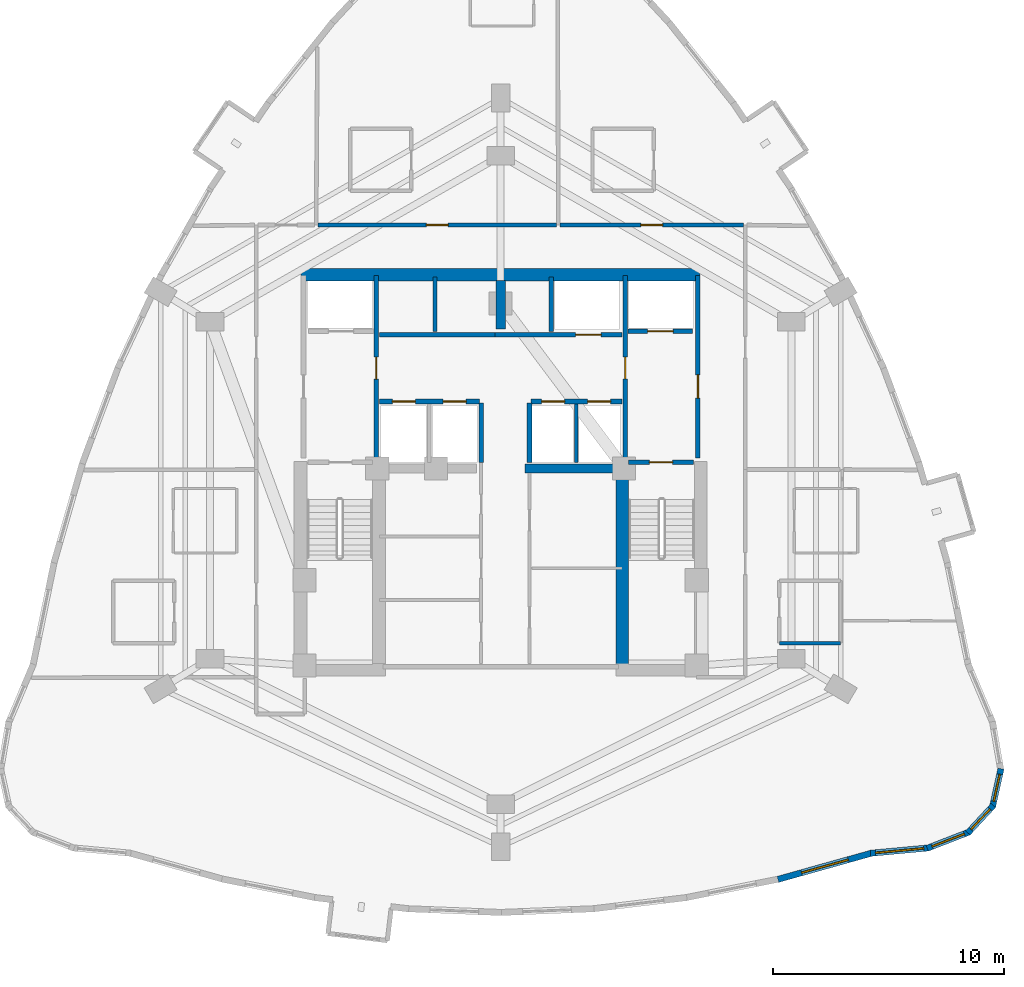
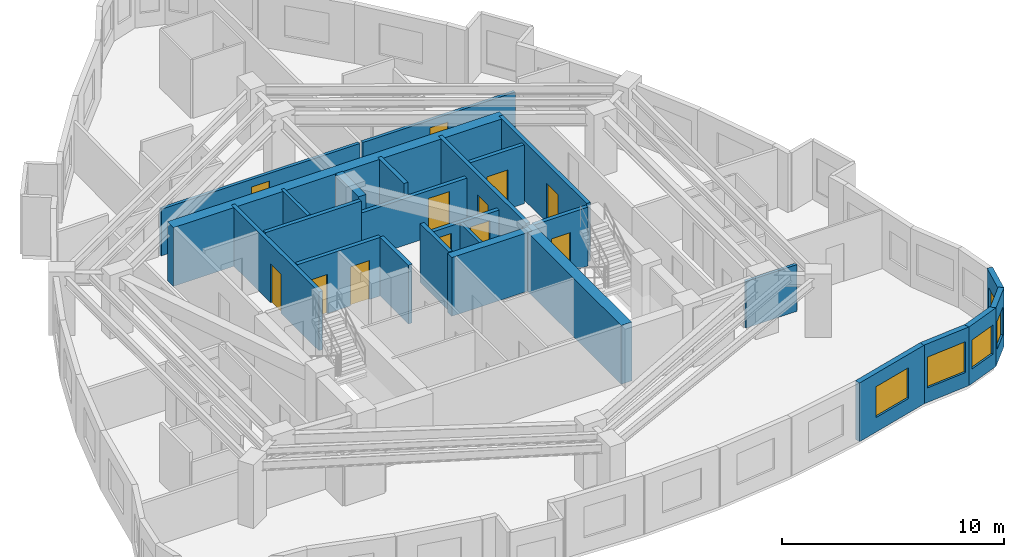
# One storey, part 5 of 9: 26 walls, 12 doors, 5 windows, 17 openings.
"""IFC4 building model written with IfcOpenShell, lengths in metres."""

import ifcopenshell
import ifcopenshell.guid

model = None  # the IFC model being written
_history = None  # IfcOwnerHistory: only IFC2X3 demands one
_inside = {}  # id of a spatial element -> (the spatial element, [elements in it])
_under = {}  # id of a project, library or spatial element -> (it, [spatial elements below it])
_declared = {}  # id of a project -> (the project, [libraries it declares])
_typed = {}  # id of a type object -> (the type object, [elements of that type])
_made_of = {}  # id of a material, layer set ... -> (it, [elements and type objects made of it])


def new_model(schema):
    """Start an empty IFC model of exactly this schema.

    Asked for "IFC4X3", IfcOpenShell would pick the latest addendum, in which some entities
    have other attributes; the version numbers below select the first issue.
    IFC2X3 requires an IfcOwnerHistory on every rooted entity: one is made here for all.
    """
    global model, _history
    if schema == "IFC4X3":
        model = ifcopenshell.file(schema_version=(4, 3, 0, 0))
    else:
        model = ifcopenshell.file(schema=schema)
    _inside.clear()
    _under.clear()
    _declared.clear()
    _typed.clear()
    _made_of.clear()
    _history = None
    if model.schema == "IFC2X3":
        org = make("IfcOrganization", Name="unknown")
        user = make(
            "IfcPersonAndOrganization",
            ThePerson=make("IfcPerson", FamilyName="unknown"),
            TheOrganization=org,
        )
        app = make(
            "IfcApplication",
            ApplicationDeveloper=org,
            Version="unknown",
            ApplicationFullName="unknown",
            ApplicationIdentifier="unknown",
        )
        _history = make(
            "IfcOwnerHistory",
            OwningUser=user,
            OwningApplication=app,
            ChangeAction="ADDED",
            CreationDate=0,
        )
    return model


def make(cls, **values):
    """One entity of the class cls with the attributes given. An attribute that is None is left unset."""
    return model.create_entity(
        cls, **{name: value for name, value in values.items() if value is not None}
    )


def rooted(cls, **values):
    """An entity with a GlobalId (a new one), such as an element, a storey or a relation."""
    return make(cls, GlobalId=ifcopenshell.guid.new(), OwnerHistory=_history, **values)


def si_unit(unit_type, name, prefix=None):
    """IfcSIUnit, for example si_unit("LENGTHUNIT", "METRE", prefix="MILLI")."""
    return make("IfcSIUnit", UnitType=unit_type, Prefix=prefix, Name=name)


def assignment(units):
    """IfcUnitAssignment: the units of a project."""
    return None if units is None else make("IfcUnitAssignment", Units=units)


def point(xyz):
    """IfcCartesianPoint."""
    return None if xyz is None else make("IfcCartesianPoint", Coordinates=xyz)


def direction(xyz):
    """IfcDirection."""
    return None if xyz is None else make("IfcDirection", DirectionRatios=xyz)


def frame(location, z_axis=None, x_axis=None):
    """IfcAxis2Placement3D, a coordinate frame: its origin and axes. An axis left out is left unset."""
    return make(
        "IfcAxis2Placement3D",
        Location=point(location),
        Axis=direction(z_axis),
        RefDirection=direction(x_axis),
    )


def frame_2d(location, x_axis=None):
    """IfcAxis2Placement2D, a coordinate frame in the plane: its origin and x axis."""
    return make(
        "IfcAxis2Placement2D", Location=point(location), RefDirection=direction(x_axis)
    )


def origin():
    """The frame at (0, 0, 0) with its axes left unset."""
    return frame((0.0, 0.0, 0.0))


def place(relative_to, where):
    """IfcLocalPlacement: puts the frame where relative to a parent placement (None: the world)."""
    return make(
        "IfcLocalPlacement", PlacementRelTo=relative_to, RelativePlacement=where
    )


def context(
    kind, dimensions, precision=None, world=None, true_north=None, identifier=None
):
    """IfcGeometricRepresentationContext, for example the 3D "Model" context."""
    return make(
        "IfcGeometricRepresentationContext",
        ContextIdentifier=identifier,
        ContextType=kind,
        CoordinateSpaceDimension=dimensions,
        Precision=precision,
        WorldCoordinateSystem=world,
        TrueNorth=true_north,
    )


def subcontext(parent, identifier, kind, view, scale=None):
    """IfcGeometricRepresentationSubContext, for example "Body" below "Model"."""
    return make(
        "IfcGeometricRepresentationSubContext",
        ContextIdentifier=identifier,
        ContextType=kind,
        ParentContext=parent,
        TargetScale=scale,
        TargetView=view,
    )


def project(units=None, contexts=None):
    """IfcProject with its units and contexts."""
    return rooted(
        "IfcProject",
        Name="project",
        RepresentationContexts=contexts,
        UnitsInContext=assignment(units),
    )


def spatial(cls, under=None, at=None, **own):
    """A site, building, storey or space (cls), placed at a placement, below another one or the project."""
    s = rooted(cls, ObjectPlacement=at, **own)
    if under is not None:
        _under.setdefault(under.id(), (under, []))[1].append(s)
    return s


def profile(cls, at=None, kind="AREA", **sizes):
    """A parametric profile (cls). Its sizes go by their IFC names, for example OverallWidth=200.0."""
    return make(cls, ProfileType=kind, Position=at, **sizes)


def rectangle(**sizes):
    """IfcRectangleProfileDef."""
    return profile("IfcRectangleProfileDef", **sizes)


def extrude(swept, where, along, depth):
    """IfcExtrudedAreaSolid: the profile swept, set in the frame where, extruded along a direction by depth."""
    return make(
        "IfcExtrudedAreaSolid",
        SweptArea=swept,
        Position=where,
        ExtrudedDirection=direction(along),
        Depth=depth,
    )


def shape(context_of_items, identifier, shape_type, items):
    """IfcShapeRepresentation: the items that make up one representation, for example the "Body"."""
    return make(
        "IfcShapeRepresentation",
        ContextOfItems=context_of_items,
        RepresentationIdentifier=identifier,
        RepresentationType=shape_type,
        Items=items,
    )


def material(Name=None, Category=None):
    """IfcMaterial."""
    return make("IfcMaterial", Name=Name, Category=Category)


def layer(
    of_material, thickness, ventilated=None, Name=None, Category=None, Priority=None
):
    """IfcMaterialLayer: one layer of a wall or slab, of a material (None: an air gap)."""
    return make(
        "IfcMaterialLayer",
        Material=of_material,
        LayerThickness=thickness,
        IsVentilated=ventilated,
        Name=Name,
        Category=Category,
        Priority=Priority,
    )


def layer_set(layers, Name=None):
    """IfcMaterialLayerSet."""
    return make("IfcMaterialLayerSet", MaterialLayers=layers, LayerSetName=Name)


def made_of(thing, what):
    """Note that an element or type object is made of a material, layer set ...; save() writes the relation."""
    if what is not None:
        _made_of.setdefault(what.id(), (what, []))[1].append(thing)
    return thing


def type_object(cls, material=None, **own):
    """A type object (cls), such as IfcWallType, which elements share."""
    return made_of(rooted(cls, **own), material)


def element(
    cls,
    number,
    at=None,
    inside=None,
    cuts=None,
    type_object=None,
    material=None,
    context=None,
    identifier="Body",
    shape_type=None,
    held_by="IfcProductDefinitionShape",
    body=None,
    shapes=None,
    **own,
):
    """One element of the class cls, such as IfcWall. Its Tag is "e" and its number.

    at: its placement. inside: the storey or other place that contains it. cuts: it is an
    opening in that element (IfcRelVoidsElement). A single representation is given by context,
    identifier, shape_type and body (its items); several are given by shapes. held_by: the class
    of the entity that holds the representations. save() writes the other relations.
    """
    e = rooted(cls, Tag="e%d" % number, ObjectPlacement=at, **own)
    if body is not None:
        shapes = [shape(context, identifier, shape_type, body)]
    if shapes is not None:
        e.Representation = make(held_by, Representations=shapes)
    if inside is not None:
        _inside.setdefault(inside.id(), (inside, []))[1].append(e)
    if cuts is not None:
        rooted(
            "IfcRelVoidsElement", RelatingBuildingElement=cuts, RelatedOpeningElement=e
        )
    if type_object is not None:
        _typed.setdefault(type_object.id(), (type_object, []))[1].append(e)
    return made_of(e, material)


def fill(opening, filler):
    """IfcRelFillsElement: the door or window that sits in an opening."""
    return rooted(
        "IfcRelFillsElement",
        RelatingOpeningElement=opening,
        RelatedBuildingElement=filler,
    )


def aggregate(whole, parts):
    """IfcRelAggregates: a whole, such as a stair, and the parts it consists of."""
    return rooted("IfcRelAggregates", RelatingObject=whole, RelatedObjects=parts)


def save(model, path):
    """Write the relations noted so far, then the file.

    IfcRelAggregates (storeys below a building ...), IfcRelContainedInSpatialStructure (elements
    in a storey), IfcRelDefinesByType, IfcRelAssociatesMaterial and IfcRelDeclares: one each for
    every whole, place, type object, material and project.
    """
    for whole, parts in _under.values():
        aggregate(whole, parts)
    for where, things in _inside.values():
        rooted(
            "IfcRelContainedInSpatialStructure",
            RelatedElements=things,
            RelatingStructure=where,
        )
    for kind, things in _typed.values():
        rooted("IfcRelDefinesByType", RelatedObjects=things, RelatingType=kind)
    for what, things in _made_of.values():
        rooted("IfcRelAssociatesMaterial", RelatedObjects=things, RelatingMaterial=what)
    for by, libraries in _declared.values():
        rooted("IfcRelDeclares", RelatingContext=by, RelatedDefinitions=libraries)
    model.write(path)


model = new_model("IFC4")

# Units and contexts
model_context = context("Model", 3, precision=1e-05, world=origin(), true_north=direction((0.0, 1.0)))
body_context = subcontext(model_context, "Body", "Model", "MODEL_VIEW")
ifc_project = project(units=[si_unit("LENGTHUNIT", "METRE"), si_unit("AREAUNIT", "SQUARE_METRE"), si_unit("VOLUMEUNIT", "CUBIC_METRE"), si_unit("PLANEANGLEUNIT", "RADIAN"), si_unit("MASSUNIT", "GRAM", prefix="KILO")], contexts=[model_context])

# Site, building, storey
site_placement = place(None, origin())
site = spatial("IfcSite", under=ifc_project, at=site_placement, CompositionType="ELEMENT")
building_placement = place(site_placement, origin())
building = spatial("IfcBuilding", under=site, at=building_placement, Name="Miruveldt Soraemaru", CompositionType="ELEMENT")
storey_placement = place(building_placement, frame((0.0, 0.0, 135.39990234375)))
storey = spatial("IfcBuildingStorey", under=building, at=storey_placement, Name="L37", CompositionType="ELEMENT", Elevation=135.39990234375)

# Walls
ifc_material_1 = material(Name="Concrete C70/85 (70 MPa)", Category="concrete")
ifc_layer_1 = layer(ifc_material_1, 0.5, Name="Concrete C70/85 (70 MPa)", Category="concrete")
ifc_layer_set_1 = layer_set([ifc_layer_1], Name="Concrete C70/85 (70 MPa)")
wall_type_1 = type_object("IfcWallType", Name="WALL-BW-500", PredefinedType="SHEAR", material=ifc_layer_set_1)
wall_1_placement = place(storey_placement, frame((44.0, 50.10009765625, 0.0), z_axis=(0.0, 0.0, 1.0), x_axis=(0.0, 1.0, 0.0)))
element("IfcWall", 1, at=wall_1_placement, inside=storey, type_object=wall_type_1, Name="L37 Core Buttress Shear Wall BN", PredefinedType="SHEAR", context=body_context, shape_type="SweptSolid", body=[
    extrude(rectangle(XDim=2.099853515625, YDim=0.39990234375, at=frame_2d((1.0498046875, 0.0))), origin(), (0.0, 0.0, 1.0), 3.235107421875),
])
wall_2_placement = place(storey_placement, frame((45.050048828125, 44.050048828125, 0.0), z_axis=(0.0, 0.0, 1.0), x_axis=(1.0, 0.0, 0.0)))
element("IfcWall", 2, at=wall_2_placement, inside=storey, type_object=wall_type_1, Name="L37 Core Buttress Shear Wall BE", PredefinedType="SHEAR", context=body_context, shape_type="SweptSolid", body=[
    extrude(rectangle(XDim=4.199951171875, YDim=0.39990234375, at=frame_2d((2.10009765625, 0.0))), origin(), (0.0, 0.0, 1.0), 3.235107421875),
])
ifc_layer_2 = layer(ifc_material_1, 0.550048828125, Name="Concrete C70/85 (70 MPa)", Category="concrete")
ifc_layer_set_2 = layer_set([ifc_layer_2], Name="Concrete C70/85 (70 MPa)")
wall_type_2 = type_object("IfcWallType", Name="WALL-CW-550", PredefinedType="SHEAR", material=ifc_layer_set_2)
wall_3_placement = place(storey_placement, frame((35.35009765625, 52.449951171875, 0.0), z_axis=(0.0, 0.0, 1.0), x_axis=(1.0, 0.0, 0.0)))
element("IfcWall", 3, at=wall_3_placement, inside=storey, type_object=wall_type_2, Name="L37 Central Core Shear Wall N", PredefinedType="SHEAR", context=body_context, shape_type="SweptSolid", body=[
    extrude(rectangle(XDim=17.2998046875, YDim=0.550048828125, at=frame_2d((8.64990234375, 0.0))), origin(), (0.0, 0.0, 1.0), 3.235107421875),
])
wall_4_placement = place(storey_placement, frame((49.27490234375, 35.39990234375, 0.0), z_axis=(0.0, 0.0, 1.0), x_axis=(0.0, 1.0, 0.0)))
element("IfcWall", 4, at=wall_4_placement, inside=storey, type_object=wall_type_2, Name="L37 Central Core Shear Wall SE-INT", PredefinedType="SHEAR", context=body_context, shape_type="SweptSolid", body=[
    extrude(rectangle(XDim=8.9501953125, YDim=0.550048828125, at=frame_2d((4.47509765625, 0.0))), origin(), (0.0, 0.0, 1.0), 3.235107421875),
])

# Wall, opening, window
ifc_material_2 = material(Name="Precast concrete C45/55 (45 MPa)", Category="concrete")
ifc_layer_3 = layer(ifc_material_2, 0.27001953125, Name="Precast concrete C45/55 (45 MPa)", Category="concrete")
ifc_layer_set_3 = layer_set([ifc_layer_3], Name="Precast concrete C45/55 (45 MPa)")
wall_type_3 = type_object("IfcWallType", Name="WALL-EXT-PC270", PredefinedType="SOLIDWALL", material=ifc_layer_set_3)
wall_5_placement = place(storey_placement, frame((56.01611328125, 26.23388671875, 0.0), z_axis=(0.0, 0.0, 1.0), x_axis=(0.962976574029, 0.269585084659, 0.0)))
wall_5 = element("IfcWall", 5, at=wall_5_placement, inside=storey, type_object=wall_type_3, Name="L37 Precast Concrete Facade Wall 28", PredefinedType="SOLIDWALL", context=body_context, shape_type="SweptSolid", body=[
    extrude(rectangle(XDim=4.240966796875, YDim=0.27001953125, at=frame_2d((2.12060546875, 0.0))), origin(), (0.0, 0.0, 1.0), 3.235107421875),
])
opening_1_placement = place(wall_5_placement, frame((1.070068359375, 0.0, 0.800048828125)))
opening_1 = element("IfcOpeningElement", 6, at=opening_1_placement, cuts=wall_5, Name="Opening WN-1", PredefinedType="OPENING", context=body_context, shape_type="SweptSolid", body=[
    extrude(rectangle(XDim=2.10009765625, YDim=1.699951171875, at=frame_2d((1.050048828125, 0.85009765625))), frame((0.0, 0.14501953125, 0.0), z_axis=(0.0, -1.0, 0.0), x_axis=(1.0, 0.0, 0.0)), (0.0, 0.0, 1.0), 0.2900390625),
])
ifc_material_3 = material(Name="Triple low-e insulated glazing", Category="glass")
window_type_1 = type_object("IfcWindowType", Name="WIN-PUNCH-2100x1700", PartitioningType="SINGLE_PANEL", PredefinedType="WINDOW", material=ifc_material_3)
window_1_placement = place(opening_1_placement, origin())
window_1 = element("IfcWindow", 7, at=window_1_placement, inside=storey, type_object=window_type_1, Name="L37 Punched Triple-Glazed Window 28.1", OverallHeight=1.699951171875, OverallWidth=2.10009765625, PartitioningType="SINGLE_PANEL", PredefinedType="WINDOW", context=body_context, shape_type="SweptSolid", body=[
    extrude(rectangle(XDim=2.10009765625, YDim=1.699951171875, at=frame_2d((1.050048828125, 0.85009765625))), frame((0.0, 0.030029296875, 0.0), z_axis=(0.0, -1.0, 0.0), x_axis=(1.0, 0.0, 0.0)), (0.0, 0.0, 1.0), 0.06005859375),
])
fill(opening_1, window_1)

wall_6_placement = place(storey_placement, frame((60.031494140625, 27.364501953125, 0.0), z_axis=(0.0, 0.0, 1.0), x_axis=(0.995754739811, 0.092046173976, 0.0)))
wall_6 = element("IfcWall", 8, at=wall_6_placement, inside=storey, type_object=wall_type_3, Name="L37 Precast Concrete Facade Wall 29", PredefinedType="SOLIDWALL", context=body_context, shape_type="SweptSolid", body=[
    extrude(rectangle(XDim=2.53564453125, YDim=0.27001953125, at=frame_2d((1.267822265625, 0.0))), origin(), (0.0, 0.0, 1.0), 3.235107421875),
])
opening_2_placement = place(wall_6_placement, frame((0.218017578125, 0.0, 0.800048828125)))
opening_2 = element("IfcOpeningElement", 9, at=opening_2_placement, cuts=wall_6, Name="Opening WN-1", PredefinedType="OPENING", context=body_context, shape_type="SweptSolid", body=[
    extrude(rectangle(XDim=2.10009765625, YDim=1.699951171875, at=frame_2d((1.050048828125, 0.85009765625))), frame((0.0, 0.14501953125, 0.0), z_axis=(0.0, -1.0, 0.0), x_axis=(1.0, 0.0, 0.0)), (0.0, 0.0, 1.0), 0.2900390625),
])
window_2_placement = place(opening_2_placement, origin())
window_2 = element("IfcWindow", 10, at=window_2_placement, inside=storey, type_object=window_type_1, Name="L37 Punched Triple-Glazed Window 29.1", OverallHeight=1.699951171875, OverallWidth=2.10009765625, PartitioningType="SINGLE_PANEL", PredefinedType="WINDOW", context=body_context, shape_type="SweptSolid", body=[
    extrude(rectangle(XDim=2.10009765625, YDim=1.699951171875, at=frame_2d((1.050048828125, 0.85009765625))), frame((0.0, 0.030029296875, 0.0), z_axis=(0.0, -1.0, 0.0), x_axis=(1.0, 0.0, 0.0)), (0.0, 0.0, 1.0), 0.06005859375),
])
fill(opening_2, window_2)

wall_7_placement = place(storey_placement, frame((62.489013671875, 27.581787109375, 0.0), z_axis=(0.0, 0.0, 1.0), x_axis=(0.932267447774, 0.361769824364, 0.0)))
wall_7 = element("IfcWall", 11, at=wall_7_placement, inside=storey, type_object=wall_type_3, Name="L37 Precast Concrete Facade Wall 30", PredefinedType="SOLIDWALL", context=body_context, shape_type="SweptSolid", body=[
    extrude(rectangle(XDim=1.950927734375, YDim=0.27001953125, at=frame_2d((0.9755859375, 0.0))), origin(), (0.0, 0.0, 1.0), 3.235107421875),
])
opening_3_placement = place(wall_7_placement, frame((0.22509765625, 0.0, 0.800048828125)))
opening_3 = element("IfcOpeningElement", 12, at=opening_3_placement, cuts=wall_7, Name="Opening WN-3", PredefinedType="OPENING", context=body_context, shape_type="SweptSolid", body=[
    extrude(rectangle(XDim=1.5, YDim=1.60009765625, at=frame_2d((0.75, 0.800048828125))), frame((0.0, 0.14501953125, 0.0), z_axis=(0.0, -1.0, 0.0), x_axis=(1.0, 0.0, 0.0)), (0.0, 0.0, 1.0), 0.2900390625),
])
window_type_2 = type_object("IfcWindowType", Name="WIN-PUNCH-1500x1600", PartitioningType="SINGLE_PANEL", PredefinedType="WINDOW", material=ifc_material_3)
window_3_placement = place(opening_3_placement, origin())
window_3 = element("IfcWindow", 13, at=window_3_placement, inside=storey, type_object=window_type_2, Name="L37 Punched Triple-Glazed Window 30.1", OverallHeight=1.60009765625, OverallWidth=1.5, PartitioningType="SINGLE_PANEL", PredefinedType="WINDOW", context=body_context, shape_type="SweptSolid", body=[
    extrude(rectangle(XDim=1.5, YDim=1.60009765625, at=frame_2d((0.75, 0.800048828125))), frame((0.0, 0.030029296875, 0.0), z_axis=(0.0, -1.0, 0.0), x_axis=(1.0, 0.0, 0.0)), (0.0, 0.0, 1.0), 0.06005859375),
])
fill(opening_3, window_3)

wall_8_placement = place(storey_placement, frame((64.25146484375, 28.249267578125, 0.0), z_axis=(0.0, 0.0, 1.0), x_axis=(0.680115173662, 0.733105279312, 0.0)))
wall_8 = element("IfcWall", 14, at=wall_8_placement, inside=storey, type_object=wall_type_3, Name="L37 Precast Concrete Facade Wall 31", PredefinedType="SOLIDWALL", context=body_context, shape_type="SweptSolid", body=[
    extrude(rectangle(XDim=1.6171875, YDim=0.27001953125, at=frame_2d((0.80859375, 0.0))), origin(), (0.0, 0.0, 1.0), 3.235107421875),
])
opening_4_placement = place(wall_8_placement, frame((0.208984375, 0.0, 0.780029296875)))
opening_4 = element("IfcOpeningElement", 15, at=opening_4_placement, cuts=wall_8, Name="Opening WN-4", PredefinedType="OPENING", context=body_context, shape_type="SweptSolid", body=[
    extrude(rectangle(XDim=1.199951171875, YDim=1.550048828125, at=frame_2d((0.60009765625, 0.77490234375))), frame((0.0, 0.14501953125, 0.0), z_axis=(0.0, -1.0, 0.0), x_axis=(1.0, 0.0, 0.0)), (0.0, 0.0, 1.0), 0.2900390625),
])
window_type_3 = type_object("IfcWindowType", Name="WIN-PUNCH-1200x1550", PartitioningType="SINGLE_PANEL", PredefinedType="WINDOW", material=ifc_material_3)
window_4_placement = place(opening_4_placement, origin())
window_4 = element("IfcWindow", 16, at=window_4_placement, inside=storey, type_object=window_type_3, Name="L37 Punched Triple-Glazed Window 31.1", OverallHeight=1.550048828125, OverallWidth=1.199951171875, PartitioningType="SINGLE_PANEL", PredefinedType="WINDOW", context=body_context, shape_type="SweptSolid", body=[
    extrude(rectangle(XDim=1.199951171875, YDim=1.550048828125, at=frame_2d((0.60009765625, 0.77490234375))), frame((0.0, 0.030029296875, 0.0), z_axis=(0.0, -1.0, 0.0), x_axis=(1.0, 0.0, 0.0)), (0.0, 0.0, 1.0), 0.06005859375),
])
fill(opening_4, window_4)

wall_9_placement = place(storey_placement, frame((65.31982421875, 29.374755859375, 0.0), z_axis=(0.0, 0.0, 1.0), x_axis=(0.215649887065, 0.976470750309, 0.0)))
wall_9 = element("IfcWall", 17, at=wall_9_placement, inside=storey, type_object=wall_type_3, Name="L37 Precast Concrete Facade Wall 32", PredefinedType="SOLIDWALL", context=body_context, shape_type="SweptSolid", body=[
    extrude(rectangle(XDim=1.69580078125, YDim=0.27001953125, at=frame_2d((0.847900390625, 0.0))), origin(), (0.0, 0.0, 1.0), 3.235107421875),
])
opening_5_placement = place(wall_9_placement, frame((0.248046875, 0.0, 0.780029296875)))
opening_5 = element("IfcOpeningElement", 18, at=opening_5_placement, cuts=wall_9, Name="Opening WN-4", PredefinedType="OPENING", context=body_context, shape_type="SweptSolid", body=[
    extrude(rectangle(XDim=1.199951171875, YDim=1.550048828125, at=frame_2d((0.60009765625, 0.77490234375))), frame((0.0, 0.14501953125, 0.0), z_axis=(0.0, -1.0, 0.0), x_axis=(1.0, 0.0, 0.0)), (0.0, 0.0, 1.0), 0.2900390625),
])
window_5_placement = place(opening_5_placement, origin())
window_5 = element("IfcWindow", 19, at=window_5_placement, inside=storey, type_object=window_type_3, Name="L37 Punched Triple-Glazed Window 32.1", OverallHeight=1.550048828125, OverallWidth=1.199951171875, PartitioningType="SINGLE_PANEL", PredefinedType="WINDOW", context=body_context, shape_type="SweptSolid", body=[
    extrude(rectangle(XDim=1.199951171875, YDim=1.550048828125, at=frame_2d((0.60009765625, 0.77490234375))), frame((0.0, 0.030029296875, 0.0), z_axis=(0.0, -1.0, 0.0), x_axis=(1.0, 0.0, 0.0)), (0.0, 0.0, 1.0), 0.06005859375),
])
fill(opening_5, window_5)

# Wall
ifc_material_4 = material(Name="Gypsum plasterboard lining", Category="gypsum")
ifc_layer_4 = layer(ifc_material_4, 0.14990234375, Name="Gypsum plasterboard lining", Category="gypsum")
ifc_layer_set_4 = layer_set([ifc_layer_4], Name="Gypsum plasterboard lining")
wall_type_4 = type_object("IfcWallType", Name="WALL-INT-PLUMB", PredefinedType="PLUMBINGWALL", material=ifc_layer_set_4)
wall_10_placement = place(storey_placement, frame((56.080078125, 36.47998046875, 0.0), z_axis=(0.0, 0.0, 1.0), x_axis=(1.0, 0.0, 0.0)))
element("IfcWall", 20, at=wall_10_placement, inside=storey, type_object=wall_type_4, Name="L37 Partition Wall 43", PredefinedType="PLUMBINGWALL", context=body_context, shape_type="SweptSolid", body=[
    extrude(rectangle(XDim=2.64990234375, YDim=0.14990234375, at=frame_2d((1.324951171875, 0.0))), origin(), (0.0, 0.0, 1.0), 2.572998046875),
])

# Wall, opening, door
ifc_material_5 = material(Name="Concrete C40/50 (40 MPa)", Category="concrete")
ifc_layer_5 = layer(ifc_material_5, 0.159912109375, Name="Concrete C40/50 (40 MPa)", Category="concrete")
ifc_layer_set_5 = layer_set([ifc_layer_5], Name="Concrete C40/50 (40 MPa)")
wall_type_5 = type_object("IfcWallType", Name="WALL-INT-RC160", PredefinedType="SOLIDWALL", material=ifc_layer_set_5)
wall_11_placement = place(storey_placement, frame((46.419921875, 54.60009765625, 0.0), z_axis=(0.0, 0.0, 1.0), x_axis=(-1.0, 0.0, 0.0)))
wall_11 = element("IfcWall", 21, at=wall_11_placement, inside=storey, type_object=wall_type_5, Name="L37 Partition Wall 2", PredefinedType="SOLIDWALL", context=body_context, shape_type="SweptSolid", body=[
    extrude(rectangle(XDim=10.33984375, YDim=0.159912109375, at=frame_2d((5.169921875, 0.0))), origin(), (0.0, 0.0, 1.0), 2.572998046875),
])
opening_6_placement = place(wall_11_placement, frame((4.695068359375, 0.0, 0.0)))
opening_6 = element("IfcOpeningElement", 22, at=opening_6_placement, cuts=wall_11, Name="Opening FD2", PredefinedType="OPENING", context=body_context, shape_type="SweptSolid", body=[
    extrude(rectangle(XDim=0.949951171875, YDim=2.14990234375, at=frame_2d((0.47509765625, 1.074951171875))), frame((0.0, 0.08984375, 0.0), z_axis=(0.0, -1.0, 0.0), x_axis=(1.0, 0.0, 0.0)), (0.0, 0.0, 1.0), 0.179931640625),
])
ifc_material_6 = material(Name="Anodised aluminium EN AW-6063 T6", Category="aluminium")
door_type_1 = type_object("IfcDoorType", Name="DOOR-FD2-950", OperationType="NOTDEFINED", PredefinedType="DOOR", material=ifc_material_6)
door_1_placement = place(opening_6_placement, origin())
door_1 = element("IfcDoor", 23, at=door_1_placement, inside=storey, type_object=door_type_1, Name="L37 Unit CL02 Entrance Fire Door", OperationType="SINGLE_SWING_RIGHT", OverallHeight=2.14990234375, OverallWidth=0.949951171875, PredefinedType="DOOR", context=body_context, shape_type="SweptSolid", body=[
    extrude(rectangle(XDim=0.949951171875, YDim=2.14990234375, at=frame_2d((0.47509765625, 1.074951171875))), frame((0.0, 0.02490234375, 0.0), z_axis=(0.0, -1.0, 0.0), x_axis=(1.0, 0.0, 0.0)), (0.0, 0.0, 1.0), 0.050048828125),
])
fill(opening_6, door_1)

wall_12_placement = place(storey_placement, frame((54.52001953125, 54.60009765625, 0.0), z_axis=(0.0, 0.0, 1.0), x_axis=(-1.0, 0.0, 0.0)))
wall_12 = element("IfcWall", 24, at=wall_12_placement, inside=storey, type_object=wall_type_5, Name="L37 Partition Wall 3", PredefinedType="SOLIDWALL", context=body_context, shape_type="SweptSolid", body=[
    extrude(rectangle(XDim=7.93994140625, YDim=0.159912109375, at=frame_2d((3.969970703125, 0.0))), origin(), (0.0, 0.0, 1.0), 2.572998046875),
])
opening_7_placement = place(wall_12_placement, frame((3.4951171875, 0.0, 0.0)))
opening_7 = element("IfcOpeningElement", 25, at=opening_7_placement, cuts=wall_12, Name="Opening FD2", PredefinedType="OPENING", context=body_context, shape_type="SweptSolid", body=[
    extrude(rectangle(XDim=0.949951171875, YDim=2.14990234375, at=frame_2d((0.47509765625, 1.074951171875))), frame((0.0, 0.08984375, 0.0), z_axis=(0.0, -1.0, 0.0), x_axis=(1.0, 0.0, 0.0)), (0.0, 0.0, 1.0), 0.179931640625),
])
door_2_placement = place(opening_7_placement, origin())
door_2 = element("IfcDoor", 26, at=door_2_placement, inside=storey, type_object=door_type_1, Name="L37 Unit CL03 Entrance Fire Door", OperationType="SINGLE_SWING_LEFT", OverallHeight=2.14990234375, OverallWidth=0.949951171875, PredefinedType="DOOR", context=body_context, shape_type="SweptSolid", body=[
    extrude(rectangle(XDim=0.949951171875, YDim=2.14990234375, at=frame_2d((0.47509765625, 1.074951171875))), frame((0.0, 0.02490234375, 0.0), z_axis=(0.0, -1.0, 0.0), x_axis=(1.0, 0.0, 0.0)), (0.0, 0.0, 1.0), 0.050048828125),
])
fill(opening_7, door_2)

# Walls
wall_13_placement = place(storey_placement, frame((47.280029296875, 44.300048828125, 0.0), z_axis=(0.0, 0.0, 1.0), x_axis=(0.0, 1.0, 0.0)))
element("IfcWall", 27, at=wall_13_placement, inside=storey, type_object=wall_type_5, Name="L37 Core Compartment Wall PLM-DE", PredefinedType="SOLIDWALL", context=body_context, shape_type="SweptSolid", body=[
    extrude(rectangle(XDim=2.550048828125, YDim=0.159912109375, at=frame_2d((1.27490234375, 0.0))), origin(), (0.0, 0.0, 1.0), 2.572998046875),
])
wall_14_placement = place(storey_placement, frame((41.14990234375, 49.97998046875, 0.0), z_axis=(0.0, 0.0, 1.0), x_axis=(0.0, 1.0, 0.0)))
element("IfcWall", 28, at=wall_14_placement, inside=storey, type_object=wall_type_5, Name="L37 Core Compartment Wall PLH-DIV1", PredefinedType="SOLIDWALL", context=body_context, shape_type="SweptSolid", body=[
    extrude(rectangle(XDim=2.3701171875, YDim=0.159912109375, at=frame_2d((1.18505859375, 0.0))), origin(), (0.0, 0.0, 1.0), 3.235107421875),
])

# Wall, opening, door
ifc_layer_6 = layer(ifc_material_5, 0.199951171875, Name="Concrete C40/50 (40 MPa)", Category="concrete")
ifc_layer_set_6 = layer_set([ifc_layer_6], Name="Concrete C40/50 (40 MPa)")
wall_type_6 = type_object("IfcWallType", Name="WALL-INT-RC200", PredefinedType="SOLIDWALL", material=ifc_layer_set_6)
wall_15_placement = place(storey_placement, frame((52.550048828125, 44.5, 0.0), z_axis=(0.0, 0.0, 1.0), x_axis=(0.0, 1.0, 0.0)))
wall_15 = element("IfcWall", 29, at=wall_15_placement, inside=storey, type_object=wall_type_6, Name="L37 Core Compartment Wall FFE-OUT", PredefinedType="SOLIDWALL", context=body_context, shape_type="SweptSolid", body=[
    extrude(rectangle(XDim=7.919921875, YDim=0.199951171875, at=frame_2d((3.9599609375, 0.0))), origin(), (0.0, 0.0, 1.0), 3.235107421875),
])
opening_8_placement = place(wall_15_placement, frame((2.60009765625, 0.0, 0.0)))
opening_8 = element("IfcOpeningElement", 30, at=opening_8_placement, cuts=wall_15, Name="Opening FD1", PredefinedType="OPENING", context=body_context, shape_type="SweptSolid", body=[
    extrude(rectangle(XDim=1.0, YDim=2.14990234375, at=frame_2d((0.5, 1.074951171875))), frame((0.0, 0.10986328125, 0.0), z_axis=(0.0, -1.0, 0.0), x_axis=(1.0, 0.0, 0.0)), (0.0, 0.0, 1.0), 0.219970703125),
])
door_type_2 = type_object("IfcDoorType", Name="DOOR-FD1-1000", OperationType="NOTDEFINED", PredefinedType="DOOR", material=ifc_material_6)
door_3_placement = place(opening_8_placement, frame((1.0, 0.0, 0.0), z_axis=(0.0, 0.0, 1.0), x_axis=(-1.0, 0.0, 0.0)))
door_3 = element("IfcDoor", 31, at=door_3_placement, inside=storey, type_object=door_type_2, Name="L37 East Firefighting Lobby Exit Door", OperationType="SINGLE_SWING_RIGHT", OverallHeight=2.14990234375, OverallWidth=1.0, PredefinedType="DOOR", context=body_context, shape_type="SweptSolid", body=[
    extrude(rectangle(XDim=1.0, YDim=2.14990234375, at=frame_2d((0.5, 1.074951171875))), frame((0.0, 0.02490234375, 0.0), z_axis=(0.0, -1.0, 0.0), x_axis=(1.0, 0.0, 0.0)), (0.0, 0.0, 1.0), 0.050048828125),
])
fill(opening_8, door_3)

wall_16_placement = place(storey_placement, frame((38.60009765625, 44.5, 0.0), z_axis=(0.0, 0.0, 1.0), x_axis=(0.0, 1.0, 0.0)))
wall_16 = element("IfcWall", 32, at=wall_16_placement, inside=storey, type_object=wall_type_6, Name="L37 Core Compartment Wall FFW-IN", PredefinedType="SOLIDWALL", context=body_context, shape_type="SweptSolid", body=[
    extrude(rectangle(XDim=7.919921875, YDim=0.199951171875, at=frame_2d((3.9599609375, 0.0))), origin(), (0.0, 0.0, 1.0), 3.235107421875),
])
opening_9_placement = place(wall_16_placement, frame((3.425048828125, 0.0, 0.0)))
opening_9 = element("IfcOpeningElement", 33, at=opening_9_placement, cuts=wall_16, Name="Opening FD2", PredefinedType="OPENING", context=body_context, shape_type="SweptSolid", body=[
    extrude(rectangle(XDim=0.949951171875, YDim=2.14990234375, at=frame_2d((0.47509765625, 1.074951171875))), frame((0.0, 0.10986328125, 0.0), z_axis=(0.0, -1.0, 0.0), x_axis=(1.0, 0.0, 0.0)), (0.0, 0.0, 1.0), 0.219970703125),
])
door_4_placement = place(opening_9_placement, frame((0.949951171875, 0.0, 0.0), z_axis=(0.0, 0.0, 1.0), x_axis=(-1.0, 0.0, 0.0)))
door_4 = element("IfcDoor", 34, at=door_4_placement, inside=storey, type_object=door_type_1, Name="L37 Lift Lobby to West Fire Lobby Door", OperationType="SINGLE_SWING_RIGHT", OverallHeight=2.14990234375, OverallWidth=0.949951171875, PredefinedType="DOOR", context=body_context, shape_type="SweptSolid", body=[
    extrude(rectangle(XDim=0.949951171875, YDim=2.14990234375, at=frame_2d((0.47509765625, 1.074951171875))), frame((0.0, 0.02490234375, 0.0), z_axis=(0.0, -1.0, 0.0), x_axis=(1.0, 0.0, 0.0)), (0.0, 0.0, 1.0), 0.050048828125),
])
fill(opening_9, door_4)

wall_17_placement = place(storey_placement, frame((49.39990234375, 44.5, 0.0), z_axis=(0.0, 0.0, 1.0), x_axis=(0.0, 1.0, 0.0)))
wall_17 = element("IfcWall", 35, at=wall_17_placement, inside=storey, type_object=wall_type_6, Name="L37 Core Compartment Wall FFE-IN", PredefinedType="SOLIDWALL", context=body_context, shape_type="SweptSolid", body=[
    extrude(rectangle(XDim=7.919921875, YDim=0.199951171875, at=frame_2d((3.9599609375, 0.0))), origin(), (0.0, 0.0, 1.0), 3.235107421875),
])
opening_10_placement = place(wall_17_placement, frame((3.425048828125, 0.0, 0.0)))
opening_10 = element("IfcOpeningElement", 36, at=opening_10_placement, cuts=wall_17, Name="Opening FD2", PredefinedType="OPENING", context=body_context, shape_type="SweptSolid", body=[
    extrude(rectangle(XDim=0.949951171875, YDim=2.14990234375, at=frame_2d((0.47509765625, 1.074951171875))), frame((0.0, 0.10986328125, 0.0), z_axis=(0.0, -1.0, 0.0), x_axis=(1.0, 0.0, 0.0)), (0.0, 0.0, 1.0), 0.219970703125),
])
door_5_placement = place(opening_10_placement, origin())
door_5 = element("IfcDoor", 37, at=door_5_placement, inside=storey, type_object=door_type_1, Name="L37 Lift Lobby to East Fire Lobby Door", OperationType="SINGLE_SWING_LEFT", OverallHeight=2.14990234375, OverallWidth=0.949951171875, PredefinedType="DOOR", context=body_context, shape_type="SweptSolid", body=[
    extrude(rectangle(XDim=0.949951171875, YDim=2.14990234375, at=frame_2d((0.47509765625, 1.074951171875))), frame((0.0, 0.02490234375, 0.0), z_axis=(0.0, -1.0, 0.0), x_axis=(1.0, 0.0, 0.0)), (0.0, 0.0, 1.0), 0.050048828125),
])
fill(opening_10, door_5)

wall_18_placement = place(storey_placement, frame((43.75, 49.85009765625, 0.0), z_axis=(0.0, 0.0, 1.0), x_axis=(1.0, 0.0, 0.0)))
wall_18 = element("IfcWall", 38, at=wall_18_placement, inside=storey, type_object=wall_type_6, Name="L37 Core Compartment Wall ROWA-SE", PredefinedType="SOLIDWALL", context=body_context, shape_type="SweptSolid", body=[
    extrude(rectangle(XDim=5.5, YDim=0.199951171875, at=frame_2d((2.75, 0.0))), origin(), (0.0, 0.0, 1.0), 2.572998046875),
])
opening_11_placement = place(wall_18_placement, frame((3.5, 0.0, 0.0)))
opening_11 = element("IfcOpeningElement", 39, at=opening_11_placement, cuts=wall_18, Name="Opening LD2", PredefinedType="OPENING", context=body_context, shape_type="SweptSolid", body=[
    extrude(rectangle(XDim=1.10009765625, YDim=2.14990234375, at=frame_2d((0.550048828125, 1.074951171875))), frame((0.0, 0.10986328125, 0.0), z_axis=(0.0, -1.0, 0.0), x_axis=(1.0, 0.0, 0.0)), (0.0, 0.0, 1.0), 0.219970703125),
])
door_type_3 = type_object("IfcDoorType", Name="DOOR-LD2-1100", OperationType="SLIDING_TO_LEFT", PredefinedType="DOOR", material=ifc_material_6)
door_6_placement = place(opening_11_placement, origin())
door_6 = element("IfcDoor", 40, at=door_6_placement, inside=storey, type_object=door_type_3, Name="L37 SL-1 Landing Door", OperationType="SLIDING_TO_LEFT", OverallHeight=2.14990234375, OverallWidth=1.10009765625, PredefinedType="DOOR", context=body_context, shape_type="SweptSolid", body=[
    extrude(rectangle(XDim=1.10009765625, YDim=2.14990234375, at=frame_2d((0.550048828125, 1.074951171875))), frame((0.0, 0.02490234375, 0.0), z_axis=(0.0, -1.0, 0.0), x_axis=(1.0, 0.0, 0.0)), (0.0, 0.0, 1.0), 0.050048828125),
])
fill(opening_11, door_6)

# Wall, openings, doors
wall_19_placement = place(storey_placement, frame((38.75, 46.949951171875, 0.0), z_axis=(0.0, 0.0, 1.0), x_axis=(1.0, 0.0, 0.0)))
wall_19 = element("IfcWall", 41, at=wall_19_placement, inside=storey, type_object=wall_type_6, Name="L37 Core Compartment Wall MBW-N", PredefinedType="SOLIDWALL", context=body_context, shape_type="SweptSolid", body=[
    extrude(rectangle(XDim=4.330078125, YDim=0.199951171875, at=frame_2d((2.1650390625, 0.0))), origin(), (0.0, 0.0, 1.0), 3.235107421875),
])
opening_12_placement = place(wall_19_placement, frame((0.550048828125, 0.0, 0.0)))
opening_12 = element("IfcOpeningElement", 42, at=opening_12_placement, cuts=wall_19, Name="Opening LD1B", PredefinedType="OPENING", context=body_context, shape_type="SweptSolid", body=[
    extrude(rectangle(XDim=1.0, YDim=2.14990234375, at=frame_2d((0.5, 1.074951171875))), frame((0.0, 0.10986328125, 0.0), z_axis=(0.0, -1.0, 0.0), x_axis=(1.0, 0.0, 0.0)), (0.0, 0.0, 1.0), 0.219970703125),
])
opening_13_placement = place(wall_19_placement, frame((2.75, 0.0, 0.0)))
opening_13 = element("IfcOpeningElement", 43, at=opening_13_placement, cuts=wall_19, Name="Opening LD1B", PredefinedType="OPENING", context=body_context, shape_type="SweptSolid", body=[
    extrude(rectangle(XDim=1.0, YDim=2.14990234375, at=frame_2d((0.5, 1.074951171875))), frame((0.0, 0.10986328125, 0.0), z_axis=(0.0, -1.0, 0.0), x_axis=(1.0, 0.0, 0.0)), (0.0, 0.0, 1.0), 0.219970703125),
])
door_type_4 = type_object("IfcDoorType", Name="DOOR-LD1-1000", OperationType="SLIDING_TO_LEFT", PredefinedType="DOOR", material=ifc_material_6)
door_7_placement = place(opening_12_placement, origin())
door_7 = element("IfcDoor", 44, at=door_7_placement, inside=storey, type_object=door_type_4, Name="L37 PL-M1 Landing Door", OperationType="SLIDING_TO_LEFT", OverallHeight=2.14990234375, OverallWidth=1.0, PredefinedType="DOOR", context=body_context, shape_type="SweptSolid", body=[
    extrude(rectangle(XDim=1.0, YDim=2.14990234375, at=frame_2d((0.5, 1.074951171875))), frame((0.0, 0.02490234375, 0.0), z_axis=(0.0, -1.0, 0.0), x_axis=(1.0, 0.0, 0.0)), (0.0, 0.0, 1.0), 0.050048828125),
])
fill(opening_12, door_7)
door_8_placement = place(opening_13_placement, origin())
door_8 = element("IfcDoor", 45, at=door_8_placement, inside=storey, type_object=door_type_4, Name="L37 PL-M2 Landing Door", OperationType="SLIDING_TO_LEFT", OverallHeight=2.14990234375, OverallWidth=1.0, PredefinedType="DOOR", context=body_context, shape_type="SweptSolid", body=[
    extrude(rectangle(XDim=1.0, YDim=2.14990234375, at=frame_2d((0.5, 1.074951171875))), frame((0.0, 0.02490234375, 0.0), z_axis=(0.0, -1.0, 0.0), x_axis=(1.0, 0.0, 0.0)), (0.0, 0.0, 1.0), 0.050048828125),
])
fill(opening_13, door_8)

wall_20_placement = place(storey_placement, frame((45.320068359375, 46.949951171875, 0.0), z_axis=(0.0, 0.0, 1.0), x_axis=(1.0, 0.0, 0.0)))
wall_20 = element("IfcWall", 46, at=wall_20_placement, inside=storey, type_object=wall_type_6, Name="L37 Core Compartment Wall MBE-N", PredefinedType="SOLIDWALL", context=body_context, shape_type="SweptSolid", body=[
    extrude(rectangle(XDim=3.929931640625, YDim=0.199951171875, at=frame_2d((1.96484375, 0.0))), origin(), (0.0, 0.0, 1.0), 2.572998046875),
])
opening_14_placement = place(wall_20_placement, frame((0.449951171875, 0.0, 0.0)))
opening_14 = element("IfcOpeningElement", 47, at=opening_14_placement, cuts=wall_20, Name="Opening LD1B", PredefinedType="OPENING", context=body_context, shape_type="SweptSolid", body=[
    extrude(rectangle(XDim=1.0, YDim=2.14990234375, at=frame_2d((0.5, 1.074951171875))), frame((0.0, 0.10986328125, 0.0), z_axis=(0.0, -1.0, 0.0), x_axis=(1.0, 0.0, 0.0)), (0.0, 0.0, 1.0), 0.219970703125),
])
opening_15_placement = place(wall_20_placement, frame((2.449951171875, 0.0, 0.0)))
opening_15 = element("IfcOpeningElement", 48, at=opening_15_placement, cuts=wall_20, Name="Opening LD1B", PredefinedType="OPENING", context=body_context, shape_type="SweptSolid", body=[
    extrude(rectangle(XDim=1.0, YDim=2.14990234375, at=frame_2d((0.5, 1.074951171875))), frame((0.0, 0.10986328125, 0.0), z_axis=(0.0, -1.0, 0.0), x_axis=(1.0, 0.0, 0.0)), (0.0, 0.0, 1.0), 0.219970703125),
])
door_9_placement = place(opening_14_placement, origin())
door_9 = element("IfcDoor", 49, at=door_9_placement, inside=storey, type_object=door_type_4, Name="L37 PL-M3 Landing Door", OperationType="SLIDING_TO_LEFT", OverallHeight=2.14990234375, OverallWidth=1.0, PredefinedType="DOOR", context=body_context, shape_type="SweptSolid", body=[
    extrude(rectangle(XDim=1.0, YDim=2.14990234375, at=frame_2d((0.5, 1.074951171875))), frame((0.0, 0.02490234375, 0.0), z_axis=(0.0, -1.0, 0.0), x_axis=(1.0, 0.0, 0.0)), (0.0, 0.0, 1.0), 0.050048828125),
])
fill(opening_14, door_9)
door_10_placement = place(opening_15_placement, origin())
door_10 = element("IfcDoor", 50, at=door_10_placement, inside=storey, type_object=door_type_4, Name="L37 PL-M4 Landing Door", OperationType="SLIDING_TO_LEFT", OverallHeight=2.14990234375, OverallWidth=1.0, PredefinedType="DOOR", context=body_context, shape_type="SweptSolid", body=[
    extrude(rectangle(XDim=1.0, YDim=2.14990234375, at=frame_2d((0.5, 1.074951171875))), frame((0.0, 0.02490234375, 0.0), z_axis=(0.0, -1.0, 0.0), x_axis=(1.0, 0.0, 0.0)), (0.0, 0.0, 1.0), 0.050048828125),
])
fill(opening_15, door_10)

# Wall, opening, door
wall_21_placement = place(storey_placement, frame((49.550048828125, 44.320068359375, 0.0), z_axis=(0.0, 0.0, 1.0), x_axis=(1.0, 0.0, 0.0)))
wall_21 = element("IfcWall", 51, at=wall_21_placement, inside=storey, type_object=wall_type_6, Name="L37 Core Compartment Wall ST2-N", PredefinedType="SOLIDWALL", context=body_context, shape_type="SweptSolid", body=[
    extrude(rectangle(XDim=2.800048828125, YDim=0.199951171875, at=frame_2d((1.39990234375, 0.0))), origin(), (0.0, 0.0, 1.0), 3.235107421875),
])
opening_16_placement = place(wall_21_placement, frame((0.89990234375, 0.0, 0.0)))
opening_16 = element("IfcOpeningElement", 52, at=opening_16_placement, cuts=wall_21, Name="Opening FD1", PredefinedType="OPENING", context=body_context, shape_type="SweptSolid", body=[
    extrude(rectangle(XDim=1.0, YDim=2.14990234375, at=frame_2d((0.5, 1.074951171875))), frame((0.0, 0.10986328125, 0.0), z_axis=(0.0, -1.0, 0.0), x_axis=(1.0, 0.0, 0.0)), (0.0, 0.0, 1.0), 0.219970703125),
])
door_11_placement = place(opening_16_placement, frame((1.0, 0.0, 0.0), z_axis=(0.0, 0.0, 1.0), x_axis=(-1.0, 0.0, 0.0)))
door_11 = element("IfcDoor", 53, at=door_11_placement, inside=storey, type_object=door_type_2, Name="L37 Stair ST-2 Fire Door", OperationType="SINGLE_SWING_RIGHT", OverallHeight=2.14990234375, OverallWidth=1.0, PredefinedType="DOOR", context=body_context, shape_type="SweptSolid", body=[
    extrude(rectangle(XDim=1.0, YDim=2.14990234375, at=frame_2d((0.5, 1.074951171875))), frame((0.0, 0.02490234375, 0.0), z_axis=(0.0, -1.0, 0.0), x_axis=(1.0, 0.0, 0.0)), (0.0, 0.0, 1.0), 0.050048828125),
])
fill(opening_16, door_11)

wall_22_placement = place(storey_placement, frame((49.52001953125, 50.0, 0.0), z_axis=(0.0, 0.0, 1.0), x_axis=(1.0, 0.0, 0.0)))
wall_22 = element("IfcWall", 54, at=wall_22_placement, inside=storey, type_object=wall_type_6, Name="L37 Core Compartment Wall FFL2-S", PredefinedType="SOLIDWALL", context=body_context, shape_type="SweptSolid", body=[
    extrude(rectangle(XDim=2.800048828125, YDim=0.199951171875, at=frame_2d((1.39990234375, 0.0))), origin(), (0.0, 0.0, 1.0), 3.235107421875),
])
opening_17_placement = place(wall_22_placement, frame((0.85009765625, 0.0, 0.0)))
opening_17 = element("IfcOpeningElement", 55, at=opening_17_placement, cuts=wall_22, Name="Opening LD2", PredefinedType="OPENING", context=body_context, shape_type="SweptSolid", body=[
    extrude(rectangle(XDim=1.10009765625, YDim=2.14990234375, at=frame_2d((0.550048828125, 1.074951171875))), frame((0.0, 0.10986328125, 0.0), z_axis=(0.0, -1.0, 0.0), x_axis=(1.0, 0.0, 0.0)), (0.0, 0.0, 1.0), 0.219970703125),
])
door_12_placement = place(opening_17_placement, origin())
door_12 = element("IfcDoor", 56, at=door_12_placement, inside=storey, type_object=door_type_3, Name="L37 FFL-2 Landing Door", OperationType="SLIDING_TO_LEFT", OverallHeight=2.14990234375, OverallWidth=1.10009765625, PredefinedType="DOOR", context=body_context, shape_type="SweptSolid", body=[
    extrude(rectangle(XDim=1.10009765625, YDim=2.14990234375, at=frame_2d((0.550048828125, 1.074951171875))), frame((0.0, 0.02490234375, 0.0), z_axis=(0.0, -1.0, 0.0), x_axis=(1.0, 0.0, 0.0)), (0.0, 0.0, 1.0), 0.050048828125),
])
fill(opening_17, door_12)

# Walls
wall_23_placement = place(storey_placement, frame((38.75, 49.85009765625, 0.0), z_axis=(0.0, 0.0, 1.0), x_axis=(1.0, 0.0, 0.0)))
element("IfcWall", 57, at=wall_23_placement, inside=storey, type_object=wall_type_6, Name="L37 Core Compartment Wall ROWA-SW", PredefinedType="SOLIDWALL", context=body_context, shape_type="SweptSolid", body=[
    extrude(rectangle(XDim=5.0, YDim=0.199951171875, at=frame_2d((2.5, 0.0))), origin(), (0.0, 0.0, 1.0), 3.235107421875),
])
for number, where, z_axis, x_axis, name in (
    (58, (43.14990234375, 44.300048828125, 0.0), (0.0, 0.0, 1.0), (0.0, 1.0, 0.0), "L37 Core Compartment Wall SP-WB"),
    (59, (45.25, 44.300048828125, 0.0), (0.0, 0.0, 1.0), (0.0, 1.0, 0.0), "L37 Core Compartment Wall SP-EB"),
):
    element("IfcWall", number, at=place(storey_placement, frame(where, z_axis=z_axis, x_axis=x_axis)), inside=storey, type_object=wall_type_6, Name=name, PredefinedType="SOLIDWALL", context=body_context, shape_type="SweptSolid", body=[
        extrude(rectangle(XDim=2.579833984375, YDim=0.199951171875, at=frame_2d((1.2900390625, 0.0))), origin(), (0.0, 0.0, 1.0), 3.235107421875),
    ])
wall_24_placement = place(storey_placement, frame((46.199951171875, 49.97998046875, 0.0), z_axis=(0.0, 0.0, 1.0), x_axis=(0.0, 1.0, 0.0)))
element("IfcWall", 60, at=wall_24_placement, inside=storey, type_object=wall_type_6, Name="L37 Core Compartment Wall PLH-SL-DIV", PredefinedType="SOLIDWALL", context=body_context, shape_type="SweptSolid", body=[
    extrude(rectangle(XDim=2.3701171875, YDim=0.199951171875, at=frame_2d((1.18505859375, 0.0))), origin(), (0.0, 0.0, 1.0), 3.235107421875),
])

save(model, "model.ifc")
